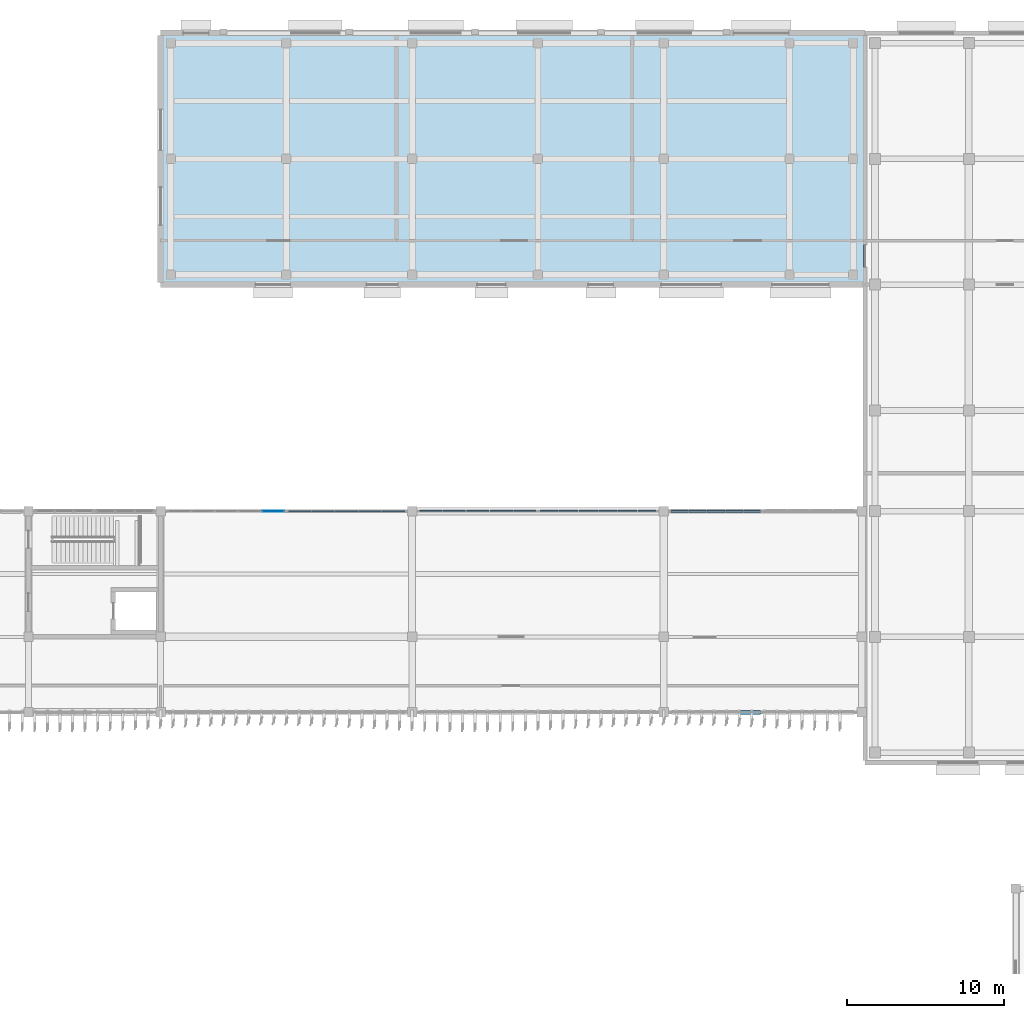
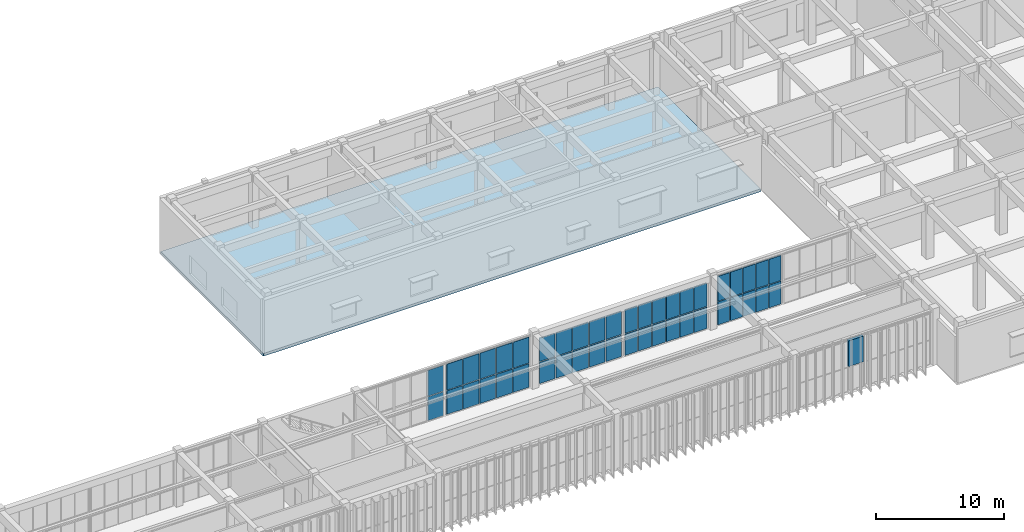
# One storey, part 32 of 64: 45 plates, 1 slab, 6 elements without a shape of their own.
"""IFC4 building model written with IfcOpenShell, lengths in metres."""

from ifc_helpers import new_model, si_unit, direction, frame, origin, origin_2d, place, context, subcontext, project, spatial, polyline, rectangle, outline, extrude, material, layer, layer_set, type_object, element, aggregate, save


model = new_model("IFC4")

# Units and contexts
model_context = context("Model", 3, precision=1e-05, world=origin(), true_north=direction((0.0, 1.0)))
body_context = subcontext(model_context, "Body", "Model", "MODEL_VIEW")
ifc_project = project(units=[si_unit("LENGTHUNIT", "METRE"), si_unit("AREAUNIT", "SQUARE_METRE"), si_unit("VOLUMEUNIT", "CUBIC_METRE"), si_unit("PLANEANGLEUNIT", "RADIAN"), si_unit("MASSUNIT", "GRAM", prefix="KILO")], contexts=[model_context])

# Site, building, storey
site_placement = place(None, origin())
site = spatial("IfcSite", under=ifc_project, at=site_placement, CompositionType="ELEMENT")
building_placement = place(site_placement, origin())
building = spatial("IfcBuilding", under=site, at=building_placement, Name="Cinchona Park Media Centre", CompositionType="ELEMENT")
storey_placement = place(building_placement, frame((0.0, 0.0, 10.199951171875)))
storey = spatial("IfcBuildingStorey", under=building, at=storey_placement, Name="L02", CompositionType="ELEMENT", Elevation=10.199951171875)

# Curtain wall, plates
ifc_material_1 = material(Name="Aluminium Curtain Wall Framing", Category="aluminium")
ifc_layer_1 = layer(ifc_material_1, 0.27001953125)
ifc_layer_set_1 = layer_set([ifc_layer_1], Name="Aluminium Curtain Wall Framing")
curtain_wall_type_1 = type_object("IfcCurtainWallType", Name="CW-CW07", PredefinedType="USERDEFINED", material=ifc_layer_set_1)
curtain_wall_1_placement = place(storey_placement, origin())
curtain_wall_1 = element("IfcCurtainWall", 1, at=curtain_wall_1_placement, inside=storey, type_object=curtain_wall_type_1, Name="Curtain Wall CW07 L02", ObjectType="UNITISED CURTAIN WALL", PredefinedType="USERDEFINED")
ifc_material_2 = material(Name="Laminated Solar-Control Double Glazing", Category="glass")
ifc_layer_2 = layer(ifc_material_2, 0.06005859375)
ifc_layer_set_2 = layer_set([ifc_layer_2], Name="Laminated Solar-Control Double Glazing")
plate_type_1 = type_object("IfcPlateType", Name="CWPANEL-PNL05", PredefinedType="CURTAIN_PANEL", material=ifc_layer_set_2)
plate_1_placement = place(storey_placement, frame((101.953857421875, 87.60009765625, 0.115234375), z_axis=(0.0, 0.0, 1.0), x_axis=(1.0, 0.0, 0.0)))
plate_1 = element("IfcPlate", 2, at=plate_1_placement, type_object=plate_type_1, Name="CW07 panel 5.1", PredefinedType="CURTAIN_PANEL", context=body_context, shape_type="SweptSolid", body=[
    extrude(rectangle(XDim=1.402587890625, YDim=0.06005859375, at=origin_2d()), origin(), (0.0, 0.0, 1.0), 2.257568359375),
])
plate_2_placement = place(storey_placement, frame((101.953857421875, 87.60009765625, 2.4375), z_axis=(0.0, 0.0, 1.0), x_axis=(1.0, 0.0, 0.0)))
plate_2 = element("IfcPlate", 3, at=plate_2_placement, type_object=plate_type_1, Name="CW07 panel 5.2", PredefinedType="CURTAIN_PANEL", context=body_context, shape_type="SweptSolid", body=[
    extrude(rectangle(XDim=1.402587890625, YDim=0.06005859375, at=origin_2d()), origin(), (0.0, 0.0, 1.0), 2.45458984375),
])
aggregate(curtain_wall_1, [plate_1, plate_2])

ifc_material_3 = material(Name="Aluminium Curtain Wall Framing", Category="aluminium")
ifc_layer_3 = layer(ifc_material_3, 0.284912109375)
ifc_layer_set_3 = layer_set([ifc_layer_3], Name="Aluminium Curtain Wall Framing")
curtain_wall_type_2 = type_object("IfcCurtainWallType", Name="CW-CW08", PredefinedType="USERDEFINED", material=ifc_layer_set_3)
curtain_wall_2_placement = place(storey_placement, origin())
curtain_wall_2 = element("IfcCurtainWall", 4, at=curtain_wall_2_placement, inside=storey, type_object=curtain_wall_type_2, Name="Curtain Wall CW08 L02", ObjectType="UNITISED CURTAIN WALL", PredefinedType="USERDEFINED")
ifc_material_4 = material(Name="Laminated Solar-Control Double Glazing", Category="glass")
ifc_layer_4 = layer(ifc_material_4, 0.080078125)
ifc_layer_set_4 = layer_set([ifc_layer_4], Name="Laminated Solar-Control Double Glazing")
plate_type_2 = type_object("IfcPlateType", Name="CWPANEL-PNL07", PredefinedType="CURTAIN_PANEL", material=ifc_layer_set_4)
plate_3_placement = place(storey_placement, frame((103.646240234375, 87.60009765625, 0.115234375), z_axis=(0.0, 0.0, 1.0), x_axis=(1.0, 0.0, 0.0)))
plate_3 = element("IfcPlate", 5, at=plate_3_placement, type_object=plate_type_2, Name="CW08 panel 1.1", PredefinedType="CURTAIN_PANEL", context=body_context, shape_type="SweptSolid", body=[
    extrude(rectangle(XDim=1.402587890625, YDim=0.080078125, at=origin_2d()), origin(), (0.0, 0.0, 1.0), 2.257568359375),
])
plate_4_placement = place(storey_placement, frame((103.646240234375, 87.60009765625, 2.4375), z_axis=(0.0, 0.0, 1.0), x_axis=(1.0, 0.0, 0.0)))
plate_4 = element("IfcPlate", 6, at=plate_4_placement, type_object=plate_type_2, Name="CW08 panel 1.2", PredefinedType="CURTAIN_PANEL", context=body_context, shape_type="SweptSolid", body=[
    extrude(rectangle(XDim=1.402587890625, YDim=0.080078125, at=origin_2d()), origin(), (0.0, 0.0, 1.0), 2.45458984375),
])
plate_5_placement = place(storey_placement, frame((105.1298828125, 87.60009765625, 0.115234375), z_axis=(0.0, 0.0, 1.0), x_axis=(1.0, 0.0, 0.0)))
plate_5 = element("IfcPlate", 7, at=plate_5_placement, type_object=plate_type_2, Name="CW08 panel 2.1", PredefinedType="CURTAIN_PANEL", context=body_context, shape_type="SweptSolid", body=[
    extrude(rectangle(XDim=1.43505859375, YDim=0.080078125, at=origin_2d()), origin(), (0.0, 0.0, 1.0), 2.257568359375),
])
plate_6_placement = place(storey_placement, frame((105.1298828125, 87.60009765625, 2.4375), z_axis=(0.0, 0.0, 1.0), x_axis=(1.0, 0.0, 0.0)))
plate_6 = element("IfcPlate", 8, at=plate_6_placement, type_object=plate_type_2, Name="CW08 panel 2.2", PredefinedType="CURTAIN_PANEL", context=body_context, shape_type="SweptSolid", body=[
    extrude(rectangle(XDim=1.43505859375, YDim=0.080078125, at=origin_2d()), origin(), (0.0, 0.0, 1.0), 2.45458984375),
])
plate_7_placement = place(storey_placement, frame((106.6298828125, 87.60009765625, 0.115234375), z_axis=(0.0, 0.0, 1.0), x_axis=(1.0, 0.0, 0.0)))
plate_7 = element("IfcPlate", 9, at=plate_7_placement, type_object=plate_type_2, Name="CW08 panel 3.1", PredefinedType="CURTAIN_PANEL", context=body_context, shape_type="SweptSolid", body=[
    extrude(rectangle(XDim=1.43505859375, YDim=0.080078125, at=origin_2d()), origin(), (0.0, 0.0, 1.0), 2.257568359375),
])
plate_8_placement = place(storey_placement, frame((106.6298828125, 87.60009765625, 2.4375), z_axis=(0.0, 0.0, 1.0), x_axis=(1.0, 0.0, 0.0)))
plate_8 = element("IfcPlate", 10, at=plate_8_placement, type_object=plate_type_2, Name="CW08 panel 3.2", PredefinedType="CURTAIN_PANEL", context=body_context, shape_type="SweptSolid", body=[
    extrude(rectangle(XDim=1.43505859375, YDim=0.080078125, at=origin_2d()), origin(), (0.0, 0.0, 1.0), 2.45458984375),
])
plate_9_placement = place(storey_placement, frame((108.1298828125, 87.60009765625, 0.115234375), z_axis=(0.0, 0.0, 1.0), x_axis=(1.0, 0.0, 0.0)))
plate_9 = element("IfcPlate", 11, at=plate_9_placement, type_object=plate_type_2, Name="CW08 panel 4.1", PredefinedType="CURTAIN_PANEL", context=body_context, shape_type="SweptSolid", body=[
    extrude(rectangle(XDim=1.43505859375, YDim=0.080078125, at=origin_2d()), origin(), (0.0, 0.0, 1.0), 2.257568359375),
])
plate_10_placement = place(storey_placement, frame((108.1298828125, 87.60009765625, 2.4375), z_axis=(0.0, 0.0, 1.0), x_axis=(1.0, 0.0, 0.0)))
plate_10 = element("IfcPlate", 12, at=plate_10_placement, type_object=plate_type_2, Name="CW08 panel 4.2", PredefinedType="CURTAIN_PANEL", context=body_context, shape_type="SweptSolid", body=[
    extrude(rectangle(XDim=1.43505859375, YDim=0.080078125, at=origin_2d()), origin(), (0.0, 0.0, 1.0), 2.45458984375),
])
plate_11_placement = place(storey_placement, frame((109.61376953125, 87.60009765625, 0.115234375), z_axis=(0.0, 0.0, 1.0), x_axis=(1.0, 0.0, 0.0)))
plate_11 = element("IfcPlate", 13, at=plate_11_placement, type_object=plate_type_2, Name="CW08 panel 5.1", PredefinedType="CURTAIN_PANEL", context=body_context, shape_type="SweptSolid", body=[
    extrude(rectangle(XDim=1.402587890625, YDim=0.080078125, at=origin_2d()), origin(), (0.0, 0.0, 1.0), 2.257568359375),
])
plate_12_placement = place(storey_placement, frame((109.61376953125, 87.60009765625, 2.4375), z_axis=(0.0, 0.0, 1.0), x_axis=(1.0, 0.0, 0.0)))
plate_12 = element("IfcPlate", 14, at=plate_12_placement, type_object=plate_type_2, Name="CW08 panel 5.2", PredefinedType="CURTAIN_PANEL", context=body_context, shape_type="SweptSolid", body=[
    extrude(rectangle(XDim=1.402587890625, YDim=0.080078125, at=origin_2d()), origin(), (0.0, 0.0, 1.0), 2.45458984375),
])
aggregate(curtain_wall_2, [plate_3, plate_4, plate_5, plate_6, plate_7, plate_8, plate_9, plate_10, plate_11, plate_12])

ifc_material_5 = material(Name="Aluminium Curtain Wall Framing", Category="aluminium")
ifc_layer_5 = layer(ifc_material_5, 0.300048828125)
ifc_layer_set_5 = layer_set([ifc_layer_5], Name="Aluminium Curtain Wall Framing")
curtain_wall_type_3 = type_object("IfcCurtainWallType", Name="CW-CW09", PredefinedType="USERDEFINED", material=ifc_layer_set_5)
curtain_wall_3_placement = place(storey_placement, origin())
curtain_wall_3 = element("IfcCurtainWall", 15, at=curtain_wall_3_placement, inside=storey, type_object=curtain_wall_type_3, Name="Curtain Wall CW09 L02", ObjectType="UNITISED CURTAIN WALL", PredefinedType="USERDEFINED")
ifc_material_6 = material(Name="Insulated Acoustic Aluminium-Glass Spandrel Cassette", Category="aluminium")
ifc_layer_6 = layer(ifc_material_6, 0.090087890625)
ifc_layer_set_6 = layer_set([ifc_layer_6], Name="Insulated Acoustic Aluminium-Glass Spandrel Cassette")
plate_type_3 = type_object("IfcPlateType", Name="CWPANEL-PNL08", PredefinedType="CURTAIN_PANEL", material=ifc_layer_set_6)
plate_13_placement = place(storey_placement, frame((111.98876953125, 87.60009765625, 0.125), z_axis=(0.0, 0.0, 1.0), x_axis=(1.0, 0.0, 0.0)))
plate_13 = element("IfcPlate", 16, at=plate_13_placement, type_object=plate_type_3, Name="CW09 panel 1.1", PredefinedType="CURTAIN_PANEL", context=body_context, shape_type="SweptSolid", body=[
    extrude(rectangle(XDim=1.387451171875, YDim=0.090087890625, at=origin_2d()), origin(), (0.0, 0.0, 1.0), 2.028564453125),
])
plate_14_placement = place(storey_placement, frame((111.98876953125, 87.60009765625, 2.228515625), z_axis=(0.0, 0.0, 1.0), x_axis=(1.0, 0.0, 0.0)))
plate_14 = element("IfcPlate", 17, at=plate_14_placement, type_object=plate_type_3, Name="CW09 panel 1.2", PredefinedType="CURTAIN_PANEL", context=body_context, shape_type="SweptSolid", body=[
    extrude(rectangle(XDim=1.387451171875, YDim=0.090087890625, at=origin_2d()), origin(), (0.0, 0.0, 1.0), 2.20654296875),
])
plate_15_placement = place(storey_placement, frame((113.469970703125, 87.60009765625, 0.125), z_axis=(0.0, 0.0, 1.0), x_axis=(1.0, 0.0, 0.0)))
plate_15 = element("IfcPlate", 18, at=plate_15_placement, type_object=plate_type_3, Name="CW09 panel 2.1", PredefinedType="CURTAIN_PANEL", context=body_context, shape_type="SweptSolid", body=[
    extrude(rectangle(XDim=1.425048828125, YDim=0.090087890625, at=origin_2d()), origin(), (0.0, 0.0, 1.0), 2.028564453125),
])
plate_16_placement = place(storey_placement, frame((113.469970703125, 87.60009765625, 2.228515625), z_axis=(0.0, 0.0, 1.0), x_axis=(1.0, 0.0, 0.0)))
plate_16 = element("IfcPlate", 19, at=plate_16_placement, type_object=plate_type_3, Name="CW09 panel 2.2", PredefinedType="CURTAIN_PANEL", context=body_context, shape_type="SweptSolid", body=[
    extrude(rectangle(XDim=1.425048828125, YDim=0.090087890625, at=origin_2d()), origin(), (0.0, 0.0, 1.0), 2.20654296875),
])
plate_17_placement = place(storey_placement, frame((114.969970703125, 87.60009765625, 0.125), z_axis=(0.0, 0.0, 1.0), x_axis=(1.0, 0.0, 0.0)))
plate_17 = element("IfcPlate", 20, at=plate_17_placement, type_object=plate_type_3, Name="CW09 panel 3.1", PredefinedType="CURTAIN_PANEL", context=body_context, shape_type="SweptSolid", body=[
    extrude(rectangle(XDim=1.425048828125, YDim=0.090087890625, at=origin_2d()), origin(), (0.0, 0.0, 1.0), 2.028564453125),
])
plate_18_placement = place(storey_placement, frame((114.969970703125, 87.60009765625, 2.228515625), z_axis=(0.0, 0.0, 1.0), x_axis=(1.0, 0.0, 0.0)))
plate_18 = element("IfcPlate", 21, at=plate_18_placement, type_object=plate_type_3, Name="CW09 panel 3.2", PredefinedType="CURTAIN_PANEL", context=body_context, shape_type="SweptSolid", body=[
    extrude(rectangle(XDim=1.425048828125, YDim=0.090087890625, at=origin_2d()), origin(), (0.0, 0.0, 1.0), 2.20654296875),
])
plate_19_placement = place(storey_placement, frame((116.469970703125, 87.60009765625, 0.125), z_axis=(0.0, 0.0, 1.0), x_axis=(1.0, 0.0, 0.0)))
plate_19 = element("IfcPlate", 22, at=plate_19_placement, type_object=plate_type_3, Name="CW09 panel 4.1", PredefinedType="CURTAIN_PANEL", context=body_context, shape_type="SweptSolid", body=[
    extrude(rectangle(XDim=1.425048828125, YDim=0.090087890625, at=origin_2d()), origin(), (0.0, 0.0, 1.0), 2.028564453125),
])
plate_20_placement = place(storey_placement, frame((116.469970703125, 87.60009765625, 2.228515625), z_axis=(0.0, 0.0, 1.0), x_axis=(1.0, 0.0, 0.0)))
plate_20 = element("IfcPlate", 23, at=plate_20_placement, type_object=plate_type_3, Name="CW09 panel 4.2", PredefinedType="CURTAIN_PANEL", context=body_context, shape_type="SweptSolid", body=[
    extrude(rectangle(XDim=1.425048828125, YDim=0.090087890625, at=origin_2d()), origin(), (0.0, 0.0, 1.0), 2.20654296875),
])
plate_21_placement = place(storey_placement, frame((117.951171875, 87.60009765625, 0.125), z_axis=(0.0, 0.0, 1.0), x_axis=(1.0, 0.0, 0.0)))
plate_21 = element("IfcPlate", 24, at=plate_21_placement, type_object=plate_type_3, Name="CW09 panel 5.1", PredefinedType="CURTAIN_PANEL", context=body_context, shape_type="SweptSolid", body=[
    extrude(rectangle(XDim=1.387451171875, YDim=0.090087890625, at=origin_2d()), origin(), (0.0, 0.0, 1.0), 2.028564453125),
])
plate_22_placement = place(storey_placement, frame((117.951171875, 87.60009765625, 2.228515625), z_axis=(0.0, 0.0, 1.0), x_axis=(1.0, 0.0, 0.0)))
plate_22 = element("IfcPlate", 25, at=plate_22_placement, type_object=plate_type_3, Name="CW09 panel 5.2", PredefinedType="CURTAIN_PANEL", context=body_context, shape_type="SweptSolid", body=[
    extrude(rectangle(XDim=1.387451171875, YDim=0.090087890625, at=origin_2d()), origin(), (0.0, 0.0, 1.0), 2.20654296875),
])
aggregate(curtain_wall_3, [plate_13, plate_14, plate_15, plate_16, plate_17, plate_18, plate_19, plate_20, plate_21, plate_22])

ifc_material_7 = material(Name="Aluminium Curtain Wall Framing", Category="aluminium")
ifc_layer_7 = layer(ifc_material_7, 0.179931640625)
ifc_layer_set_7 = layer_set([ifc_layer_7], Name="Aluminium Curtain Wall Framing")
curtain_wall_type_4 = type_object("IfcCurtainWallType", Name="CW-CW01", PredefinedType="USERDEFINED", material=ifc_layer_set_7)
curtain_wall_4_placement = place(storey_placement, origin())
curtain_wall_4 = element("IfcCurtainWall", 26, at=curtain_wall_4_placement, inside=storey, type_object=curtain_wall_type_4, Name="Curtain Wall CW01 L02", ObjectType="UNITISED CURTAIN WALL", PredefinedType="USERDEFINED")
ifc_material_8 = material(Name="Insulated Acoustic Aluminium-Glass Spandrel Cassette", Category="aluminium")
ifc_layer_8 = layer(ifc_material_8, 0.110107421875)
ifc_layer_set_8 = layer_set([ifc_layer_8], Name="Insulated Acoustic Aluminium-Glass Spandrel Cassette")
plate_type_4 = type_object("IfcPlateType", Name="CWPANEL-PNL10", PredefinedType="CURTAIN_PANEL", material=ifc_layer_set_8)
plate_23_placement = place(storey_placement, frame((119.523681640625, 87.60009765625, 0.125), z_axis=(0.0, 0.0, 1.0), x_axis=(1.0, 0.0, 0.0)))
plate_23 = element("IfcPlate", 27, at=plate_23_placement, type_object=plate_type_4, Name="CW01 panel 1.1", PredefinedType="CURTAIN_PANEL", context=body_context, shape_type="SweptSolid", body=[
    extrude(rectangle(XDim=1.137451171875, YDim=0.110107421875, at=origin_2d()), origin(), (0.0, 0.0, 1.0), 2.028564453125),
])
plate_24_placement = place(storey_placement, frame((119.523681640625, 87.60009765625, 2.228515625), z_axis=(0.0, 0.0, 1.0), x_axis=(1.0, 0.0, 0.0)))
plate_24 = element("IfcPlate", 28, at=plate_24_placement, type_object=plate_type_4, Name="CW01 panel 1.2", PredefinedType="CURTAIN_PANEL", context=body_context, shape_type="SweptSolid", body=[
    extrude(rectangle(XDim=1.137451171875, YDim=0.110107421875, at=origin_2d()), origin(), (0.0, 0.0, 1.0), 2.20654296875),
])
plate_25_placement = place(storey_placement, frame((120.7548828125, 87.60009765625, 0.125), z_axis=(0.0, 0.0, 1.0), x_axis=(1.0, 0.0, 0.0)))
plate_25 = element("IfcPlate", 29, at=plate_25_placement, type_object=plate_type_4, Name="CW01 panel 2.1", PredefinedType="CURTAIN_PANEL", context=body_context, shape_type="SweptSolid", body=[
    extrude(rectangle(XDim=1.175048828125, YDim=0.110107421875, at=origin_2d()), origin(), (0.0, 0.0, 1.0), 2.028564453125),
])
plate_26_placement = place(storey_placement, frame((120.7548828125, 87.60009765625, 2.228515625), z_axis=(0.0, 0.0, 1.0), x_axis=(1.0, 0.0, 0.0)))
plate_26 = element("IfcPlate", 30, at=plate_26_placement, type_object=plate_type_4, Name="CW01 panel 2.2", PredefinedType="CURTAIN_PANEL", context=body_context, shape_type="SweptSolid", body=[
    extrude(rectangle(XDim=1.175048828125, YDim=0.110107421875, at=origin_2d()), origin(), (0.0, 0.0, 1.0), 2.20654296875),
])
plate_27_placement = place(storey_placement, frame((122.0048828125, 87.60009765625, 0.125), z_axis=(0.0, 0.0, 1.0), x_axis=(1.0, 0.0, 0.0)))
plate_27 = element("IfcPlate", 31, at=plate_27_placement, type_object=plate_type_4, Name="CW01 panel 3.1", PredefinedType="CURTAIN_PANEL", context=body_context, shape_type="SweptSolid", body=[
    extrude(rectangle(XDim=1.175048828125, YDim=0.110107421875, at=origin_2d()), origin(), (0.0, 0.0, 1.0), 2.028564453125),
])
plate_28_placement = place(storey_placement, frame((122.0048828125, 87.60009765625, 2.228515625), z_axis=(0.0, 0.0, 1.0), x_axis=(1.0, 0.0, 0.0)))
plate_28 = element("IfcPlate", 32, at=plate_28_placement, type_object=plate_type_4, Name="CW01 panel 3.2", PredefinedType="CURTAIN_PANEL", context=body_context, shape_type="SweptSolid", body=[
    extrude(rectangle(XDim=1.175048828125, YDim=0.110107421875, at=origin_2d()), origin(), (0.0, 0.0, 1.0), 2.20654296875),
])
plate_29_placement = place(storey_placement, frame((123.2548828125, 87.60009765625, 0.125), z_axis=(0.0, 0.0, 1.0), x_axis=(1.0, 0.0, 0.0)))
plate_29 = element("IfcPlate", 33, at=plate_29_placement, type_object=plate_type_4, Name="CW01 panel 4.1", PredefinedType="CURTAIN_PANEL", context=body_context, shape_type="SweptSolid", body=[
    extrude(rectangle(XDim=1.175048828125, YDim=0.110107421875, at=origin_2d()), origin(), (0.0, 0.0, 1.0), 2.028564453125),
])
plate_30_placement = place(storey_placement, frame((123.2548828125, 87.60009765625, 2.228515625), z_axis=(0.0, 0.0, 1.0), x_axis=(1.0, 0.0, 0.0)))
plate_30 = element("IfcPlate", 34, at=plate_30_placement, type_object=plate_type_4, Name="CW01 panel 4.2", PredefinedType="CURTAIN_PANEL", context=body_context, shape_type="SweptSolid", body=[
    extrude(rectangle(XDim=1.175048828125, YDim=0.110107421875, at=origin_2d()), origin(), (0.0, 0.0, 1.0), 2.20654296875),
])
plate_31_placement = place(storey_placement, frame((124.5048828125, 87.60009765625, 0.125), z_axis=(0.0, 0.0, 1.0), x_axis=(1.0, 0.0, 0.0)))
plate_31 = element("IfcPlate", 35, at=plate_31_placement, type_object=plate_type_4, Name="CW01 panel 5.1", PredefinedType="CURTAIN_PANEL", context=body_context, shape_type="SweptSolid", body=[
    extrude(rectangle(XDim=1.175048828125, YDim=0.110107421875, at=origin_2d()), origin(), (0.0, 0.0, 1.0), 2.028564453125),
])
plate_32_placement = place(storey_placement, frame((124.5048828125, 87.60009765625, 2.228515625), z_axis=(0.0, 0.0, 1.0), x_axis=(1.0, 0.0, 0.0)))
plate_32 = element("IfcPlate", 36, at=plate_32_placement, type_object=plate_type_4, Name="CW01 panel 5.2", PredefinedType="CURTAIN_PANEL", context=body_context, shape_type="SweptSolid", body=[
    extrude(rectangle(XDim=1.175048828125, YDim=0.110107421875, at=origin_2d()), origin(), (0.0, 0.0, 1.0), 2.20654296875),
])
plate_33_placement = place(storey_placement, frame((125.736328125, 87.60009765625, 0.125), z_axis=(0.0, 0.0, 1.0), x_axis=(1.0, 0.0, 0.0)))
plate_33 = element("IfcPlate", 37, at=plate_33_placement, type_object=plate_type_4, Name="CW01 panel 6.1", PredefinedType="CURTAIN_PANEL", context=body_context, shape_type="SweptSolid", body=[
    extrude(rectangle(XDim=1.137451171875, YDim=0.110107421875, at=origin_2d()), origin(), (0.0, 0.0, 1.0), 2.028564453125),
])
plate_34_placement = place(storey_placement, frame((125.736328125, 87.60009765625, 2.228515625), z_axis=(0.0, 0.0, 1.0), x_axis=(1.0, 0.0, 0.0)))
plate_34 = element("IfcPlate", 38, at=plate_34_placement, type_object=plate_type_4, Name="CW01 panel 6.2", PredefinedType="CURTAIN_PANEL", context=body_context, shape_type="SweptSolid", body=[
    extrude(rectangle(XDim=1.137451171875, YDim=0.110107421875, at=origin_2d()), origin(), (0.0, 0.0, 1.0), 2.20654296875),
])
aggregate(curtain_wall_4, [plate_23, plate_24, plate_25, plate_26, plate_27, plate_28, plate_29, plate_30, plate_31, plate_32, plate_33, plate_34])

ifc_material_9 = material(Name="Aluminium Curtain Wall Framing", Category="aluminium")
ifc_layer_9 = layer(ifc_material_9, 0.195068359375)
ifc_layer_set_9 = layer_set([ifc_layer_9], Name="Aluminium Curtain Wall Framing")
curtain_wall_type_5 = type_object("IfcCurtainWallType", Name="CW-CW02", PredefinedType="USERDEFINED", material=ifc_layer_set_9)
curtain_wall_5_placement = place(storey_placement, origin())
curtain_wall_5 = element("IfcCurtainWall", 39, at=curtain_wall_5_placement, inside=storey, type_object=curtain_wall_type_5, Name="Curtain Wall CW02 L02", ObjectType="UNITISED CURTAIN WALL", PredefinedType="USERDEFINED")
ifc_material_10 = material(Name="Insulated Acoustic Aluminium-Glass Spandrel Cassette", Category="aluminium")
ifc_layer_10 = layer(ifc_material_10, 0.1201171875)
ifc_layer_set_10 = layer_set([ifc_layer_10], Name="Insulated Acoustic Aluminium-Glass Spandrel Cassette")
plate_type_5 = type_object("IfcPlateType", Name="CWPANEL-PNL11", PredefinedType="CURTAIN_PANEL", material=ifc_layer_set_10)
plate_35_placement = place(storey_placement, frame((127.8173828125, 87.60009765625, 0.1201171875), z_axis=(0.0, 0.0, 1.0), x_axis=(1.0, 0.0, 0.0)))
plate_35 = element("IfcPlate", 40, at=plate_35_placement, type_object=plate_type_5, Name="CW02 panel 1.1", PredefinedType="CURTAIN_PANEL", context=body_context, shape_type="SweptSolid", body=[
    extrude(rectangle(XDim=1.054931640625, YDim=0.1201171875, at=origin_2d()), origin(), (0.0, 0.0, 1.0), 2.174072265625),
])
plate_36_placement = place(storey_placement, frame((127.8173828125, 87.60009765625, 2.3642578125), z_axis=(0.0, 0.0, 1.0), x_axis=(1.0, 0.0, 0.0)))
plate_36 = element("IfcPlate", 41, at=plate_36_placement, type_object=plate_type_5, Name="CW02 panel 1.2", PredefinedType="CURTAIN_PANEL", context=body_context, shape_type="SweptSolid", body=[
    extrude(rectangle(XDim=1.054931640625, YDim=0.1201171875, at=origin_2d()), origin(), (0.0, 0.0, 1.0), 2.363037109375),
])
plate_37_placement = place(storey_placement, frame((128.9599609375, 87.60009765625, 0.1201171875), z_axis=(0.0, 0.0, 1.0), x_axis=(1.0, 0.0, 0.0)))
plate_37 = element("IfcPlate", 42, at=plate_37_placement, type_object=plate_type_5, Name="CW02 panel 2.1", PredefinedType="CURTAIN_PANEL", context=body_context, shape_type="SweptSolid", body=[
    extrude(rectangle(XDim=1.090087890625, YDim=0.1201171875, at=origin_2d()), origin(), (0.0, 0.0, 1.0), 2.174072265625),
])
plate_38_placement = place(storey_placement, frame((128.9599609375, 87.60009765625, 2.3642578125), z_axis=(0.0, 0.0, 1.0), x_axis=(1.0, 0.0, 0.0)))
plate_38 = element("IfcPlate", 43, at=plate_38_placement, type_object=plate_type_5, Name="CW02 panel 2.2", PredefinedType="CURTAIN_PANEL", context=body_context, shape_type="SweptSolid", body=[
    extrude(rectangle(XDim=1.090087890625, YDim=0.1201171875, at=origin_2d()), origin(), (0.0, 0.0, 1.0), 2.363037109375),
])
plate_39_placement = place(storey_placement, frame((130.1201171875, 87.60009765625, 0.1201171875), z_axis=(0.0, 0.0, 1.0), x_axis=(1.0, 0.0, 0.0)))
plate_39 = element("IfcPlate", 44, at=plate_39_placement, type_object=plate_type_5, Name="CW02 panel 3.1", PredefinedType="CURTAIN_PANEL", context=body_context, shape_type="SweptSolid", body=[
    extrude(rectangle(XDim=1.090087890625, YDim=0.1201171875, at=origin_2d()), origin(), (0.0, 0.0, 1.0), 2.174072265625),
])
plate_40_placement = place(storey_placement, frame((130.1201171875, 87.60009765625, 2.3642578125), z_axis=(0.0, 0.0, 1.0), x_axis=(1.0, 0.0, 0.0)))
plate_40 = element("IfcPlate", 45, at=plate_40_placement, type_object=plate_type_5, Name="CW02 panel 3.2", PredefinedType="CURTAIN_PANEL", context=body_context, shape_type="SweptSolid", body=[
    extrude(rectangle(XDim=1.090087890625, YDim=0.1201171875, at=origin_2d()), origin(), (0.0, 0.0, 1.0), 2.363037109375),
])
plate_41_placement = place(storey_placement, frame((131.280029296875, 87.60009765625, 0.1201171875), z_axis=(0.0, 0.0, 1.0), x_axis=(1.0, 0.0, 0.0)))
plate_41 = element("IfcPlate", 46, at=plate_41_placement, type_object=plate_type_5, Name="CW02 panel 4.1", PredefinedType="CURTAIN_PANEL", context=body_context, shape_type="SweptSolid", body=[
    extrude(rectangle(XDim=1.090087890625, YDim=0.1201171875, at=origin_2d()), origin(), (0.0, 0.0, 1.0), 2.174072265625),
])
plate_42_placement = place(storey_placement, frame((131.280029296875, 87.60009765625, 2.3642578125), z_axis=(0.0, 0.0, 1.0), x_axis=(1.0, 0.0, 0.0)))
plate_42 = element("IfcPlate", 47, at=plate_42_placement, type_object=plate_type_5, Name="CW02 panel 4.2", PredefinedType="CURTAIN_PANEL", context=body_context, shape_type="SweptSolid", body=[
    extrude(rectangle(XDim=1.090087890625, YDim=0.1201171875, at=origin_2d()), origin(), (0.0, 0.0, 1.0), 2.363037109375),
])
plate_43_placement = place(storey_placement, frame((132.422607421875, 87.60009765625, 0.1201171875), z_axis=(0.0, 0.0, 1.0), x_axis=(1.0, 0.0, 0.0)))
plate_43 = element("IfcPlate", 48, at=plate_43_placement, type_object=plate_type_5, Name="CW02 panel 5.1", PredefinedType="CURTAIN_PANEL", context=body_context, shape_type="SweptSolid", body=[
    extrude(rectangle(XDim=1.054931640625, YDim=0.1201171875, at=origin_2d()), origin(), (0.0, 0.0, 1.0), 2.174072265625),
])
plate_44_placement = place(storey_placement, frame((132.422607421875, 87.60009765625, 2.3642578125), z_axis=(0.0, 0.0, 1.0), x_axis=(1.0, 0.0, 0.0)))
plate_44 = element("IfcPlate", 49, at=plate_44_placement, type_object=plate_type_5, Name="CW02 panel 5.2", PredefinedType="CURTAIN_PANEL", context=body_context, shape_type="SweptSolid", body=[
    extrude(rectangle(XDim=1.054931640625, YDim=0.1201171875, at=origin_2d()), origin(), (0.0, 0.0, 1.0), 2.363037109375),
])
aggregate(curtain_wall_5, [plate_35, plate_36, plate_37, plate_38, plate_39, plate_40, plate_41, plate_42, plate_43, plate_44])

# Curtain wall, plate
curtain_wall_6_placement = place(storey_placement, origin())
curtain_wall_6 = element("IfcCurtainWall", 50, at=curtain_wall_6_placement, inside=storey, type_object=curtain_wall_type_1, Name="Curtain Wall CW07 L02", ObjectType="UNITISED CURTAIN WALL", PredefinedType="USERDEFINED")
ifc_material_11 = material(Name="Insulated Acoustic Aluminium-Glass Spandrel Cassette", Category="aluminium")
ifc_layer_11 = layer(ifc_material_11, 0.27001953125)
ifc_layer_set_11 = layer_set([ifc_layer_11], Name="Insulated Acoustic Aluminium-Glass Spandrel Cassette")
plate_type_6 = type_object("IfcPlateType", Name="CWPANEL-PNL26", PredefinedType="CURTAIN_PANEL", material=ifc_layer_set_11)
plate_45_placement = place(storey_placement, frame((132.2763671875, 74.800048828125, 2.442626953125), z_axis=(0.0, 0.0, 1.0), x_axis=(-1.0, 0.0, 0.0)))
plate_45 = element("IfcPlate", 51, at=plate_45_placement, type_object=plate_type_6, Name="CW07 panel 1.2", PredefinedType="CURTAIN_PANEL", context=body_context, shape_type="SweptSolid", body=[
    extrude(rectangle(XDim=1.33740234375, YDim=0.27001953125, at=origin_2d()), origin(), (0.0, 0.0, 1.0), 2.439453125),
])
aggregate(curtain_wall_6, [plate_45])

# Slab
ifc_material_12 = material(Name="Concrete C35/45", Category="concrete")
ifc_layer_12 = layer(ifc_material_12, 0.260009765625)
ifc_layer_set_12 = layer_set([ifc_layer_12], Name="Concrete C35/45")
slab_type = type_object("IfcSlabType", Name="SLAB-SL05-260", PredefinedType="FLOOR", material=ifc_layer_set_12)
slab_placement = place(storey_placement, frame((0.0, 0.0, -0.260009765625)))
element("IfcSlab", 52, at=slab_placement, inside=storey, type_object=slab_type, Name="Film Archive Vault Floor Slab V3 L02", PredefinedType="FLOOR", context=body_context, shape_type="SweptSolid", body=[
    extrude(outline(polyline([(94.800048828125, 102.0), (139.5, 102.0), (139.5, 118.0), (94.800048828125, 118.0), (94.800048828125, 102.0)])), origin(), (0.0, 0.0, 1.0), 0.260009765625),
])

save(model, "model.ifc")
